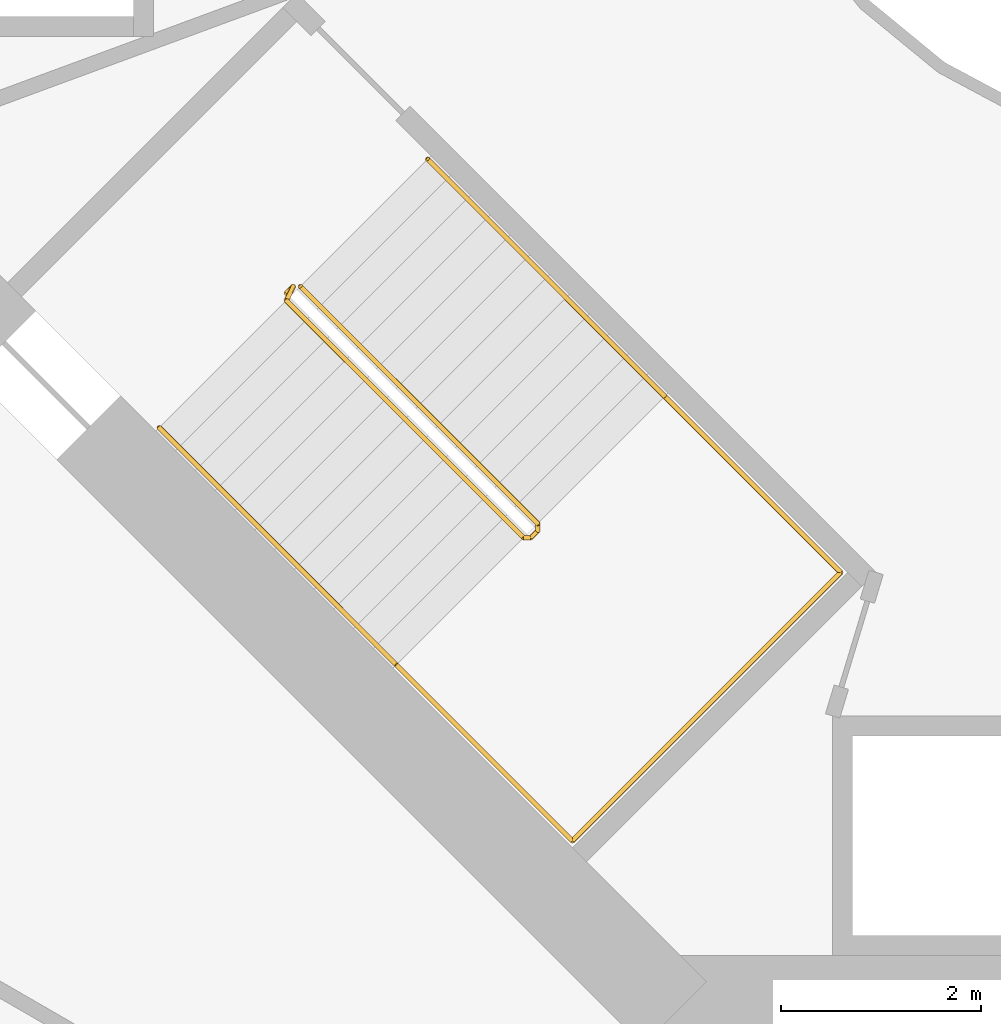
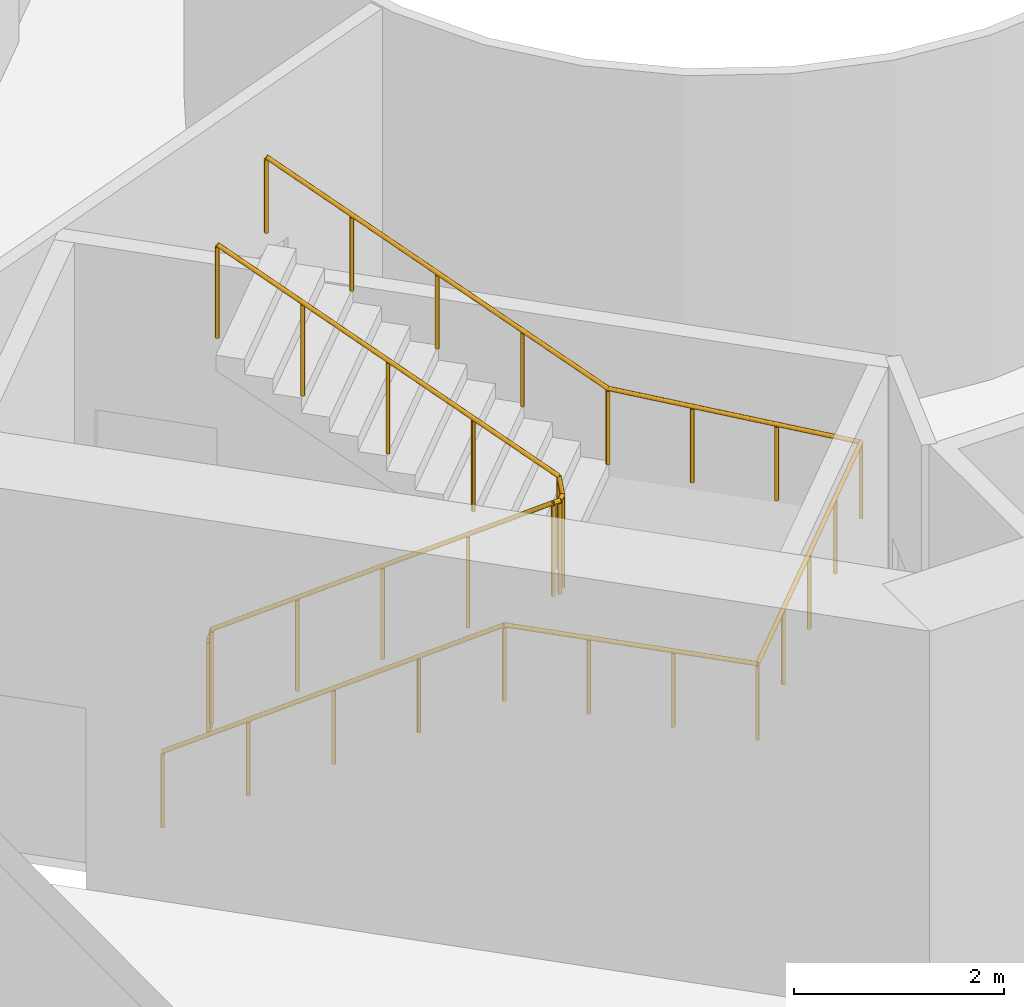
# One storey, part 16 of 20: 2 railings.
"""IFC4 building model written with IfcOpenShell, lengths in metres."""

from ifc_helpers import new_model, si_unit, direction, frame, origin, origin_2d, place, context, subcontext, project, spatial, circle, extrude, material, type_object, element, save


model = new_model("IFC4")

# Units and contexts
model_context = context("Model", 3, precision=1e-05, world=origin(), true_north=direction((0.0, 1.0)))
body_context = subcontext(model_context, "Body", "Model", "MODEL_VIEW")
ifc_project = project(units=[si_unit("LENGTHUNIT", "METRE"), si_unit("AREAUNIT", "SQUARE_METRE"), si_unit("VOLUMEUNIT", "CUBIC_METRE"), si_unit("PLANEANGLEUNIT", "RADIAN"), si_unit("MASSUNIT", "GRAM", prefix="KILO")], contexts=[model_context])

# Site, building, storey
site_placement = place(None, origin())
site = spatial("IfcSite", under=ifc_project, at=site_placement, CompositionType="ELEMENT")
building_placement = place(site_placement, origin())
building = spatial("IfcBuilding", under=site, at=building_placement, Name="Verdalira Terraces Hotel", CompositionType="ELEMENT")
storey_placement = place(building_placement, frame((0.0, 0.0, 23.5)))
storey = spatial("IfcBuildingStorey", under=building, at=storey_placement, Name="L04", CompositionType="ELEMENT", Elevation=23.5)

# Railings
ifc_material_1 = material(Name="Stainless steel", Category="steel")
railing_type_1 = type_object("IfcRailingType", Name="Stair guard 1100", PredefinedType="GUARDRAIL", material=ifc_material_1)
railing_1_placement = place(storey_placement, frame((-9.369141, -6.469971, 0.0)))
element("IfcRailing", 1, at=railing_1_placement, inside=storey, type_object=railing_type_1, Name="L04 ST2 stair guard 1", PredefinedType="GUARDRAIL", context=body_context, shape_type="SweptSolid", body=[
    extrude(circle(Radius=0.023926, at=origin_2d()), frame((0.0, 0.0, 1.076172), z_axis=(0.70832698, 0.705884473, 0.0), x_axis=(-0.705884473, 0.70832698, 0.0)), (0.0, 0.0, 1.0), 0.099854),
    extrude(circle(Radius=0.023926, at=origin_2d()), frame((0.070801, 0.070557, 1.076172), z_axis=(-0.302014195, -0.602986962, 0.738372636), x_axis=(0.894118129, -0.447831187, 0.0)), (0.0, 0.0, 1.0), 0.234375),
    extrude(circle(Radius=0.023926, at=origin_2d()), frame((0.0, -0.070801, 1.249023), z_axis=(0.601505331, -0.601443524, 0.525791806), x_axis=(0.707070449, 0.707143111, 0.0)), (0.0, 0.0, 1.0), 3.949951),
    extrude(circle(Radius=0.023926, at=origin_2d()), frame((2.375977, -2.446533, 3.326172), z_axis=(1.0, 0.0, 0.0), x_axis=(0.0, 1.0, 0.0)), (0.0, 0.0, 1.0), 0.070557),
    extrude(circle(Radius=0.023926, at=origin_2d()), frame((2.446533, -2.446533, 3.326172), z_axis=(0.70832698, 0.705884473, 0.0), x_axis=(-0.705884473, 0.70832698, 0.0)), (0.0, 0.0, 1.0), 0.099854),
    extrude(circle(Radius=0.023926, at=origin_2d()), frame((2.517334, -2.375977, 3.326172), z_axis=(0.0, 0.378582013, 0.92556775), x_axis=(-1.0, 0.0, 0.0)), (0.0, 0.0, 1.0), 0.187012),
    extrude(circle(Radius=0.023926, at=origin_2d()), frame((2.517334, -2.305176, 3.499023), z_axis=(-0.601505331, 0.601443524, 0.525791806), x_axis=(-0.707070449, -0.707143111, 0.0)), (0.0, 0.0, 1.0), 3.949951),
    extrude(circle(Radius=0.020996, at=origin_2d()), origin(), (0.0, 0.0, 1.0), 1.052002),
    extrude(circle(Radius=0.020996, at=origin_2d()), frame((0.070801, 0.070557, 0.0)), (0.0, 0.0, 1.0), 1.052002),
    extrude(circle(Radius=0.020996, at=origin_2d()), frame((0.0, -0.070801, 0.173096)), (0.0, 0.0, 1.0), 1.052002),
    extrude(circle(Radius=0.020996, at=origin_2d()), frame((0.593994, -0.664795, 0.692383)), (0.0, 0.0, 1.0), 1.052002),
    extrude(circle(Radius=0.020996, at=origin_2d()), frame((1.187988, -1.258789, 1.211426)), (0.0, 0.0, 1.0), 1.052002),
    extrude(circle(Radius=0.020996, at=origin_2d()), frame((1.781982, -1.852539, 1.730713)), (0.0, 0.0, 1.0), 1.052002),
    extrude(circle(Radius=0.020996, at=origin_2d()), frame((2.375977, -2.446533, 2.25)), (0.0, 0.0, 1.0), 1.052002),
    extrude(circle(Radius=0.020996, at=origin_2d()), frame((2.446533, -2.446533, 2.25)), (0.0, 0.0, 1.0), 1.052002),
    extrude(circle(Radius=0.020996, at=origin_2d()), frame((2.517334, -2.375977, 2.25)), (0.0, 0.0, 1.0), 1.052002),
    extrude(circle(Radius=0.020996, at=origin_2d()), frame((2.517334, -2.305176, 2.423096)), (0.0, 0.0, 1.0), 1.052002),
    extrude(circle(Radius=0.020996, at=origin_2d()), frame((1.92334, -1.711182, 2.942383)), (0.0, 0.0, 1.0), 1.052002),
    extrude(circle(Radius=0.020996, at=origin_2d()), frame((1.329346, -1.117188, 3.461426)), (0.0, 0.0, 1.0), 1.052002),
    extrude(circle(Radius=0.020996, at=origin_2d()), frame((0.735352, -0.523438, 3.980713)), (0.0, 0.0, 1.0), 1.052002),
    extrude(circle(Radius=0.020996, at=origin_2d()), frame((0.141357, 0.070557, 4.5)), (0.0, 0.0, 1.0), 1.052002),
])
ifc_material_2 = material(Name="Stainless steel", Category="steel")
railing_type_2 = type_object("IfcRailingType", Name="Stair handrail 900", PredefinedType="HANDRAIL", material=ifc_material_2)
railing_2_placement = place(storey_placement, frame((-10.641846, -7.813477, 0.173096)))
element("IfcRailing", 2, at=railing_2_placement, inside=storey, type_object=railing_type_2, Name="L04 ST2 stair handrail 1", PredefinedType="HANDRAIL", context=body_context, shape_type="SweptSolid", body=[
    extrude(circle(Radius=0.023926, at=origin_2d()), frame((0.0, 0.0, 0.875977), z_axis=(0.601443524, -0.601505331, 0.525791806), x_axis=(0.707143111, 0.707070449, 0.0)), (0.0, 0.0, 1.0), 3.949951),
    extrude(circle(Radius=0.023926, at=origin_2d()), frame((2.375732, -2.375977, 2.952637), z_axis=(0.707106781, -0.707106781, 0.0), x_axis=(0.707106781, 0.707106781, 0.0)), (0.0, 0.0, 1.0), 2.48999),
    extrude(circle(Radius=0.023926, at=origin_2d()), frame((4.136475, -4.136719, 2.952637), z_axis=(0.707106781, 0.707106781, 0.0), x_axis=(-0.707106781, 0.707106781, 0.0)), (0.0, 0.0, 1.0), 3.800049),
    extrude(circle(Radius=0.023926, at=origin_2d()), frame((6.823486, -1.449707, 2.952637), z_axis=(-0.705404483, 0.705404483, 0.069347168), x_axis=(-0.707106781, -0.707106781, 0.0)), (0.0, 0.0, 1.0), 2.496094),
    extrude(circle(Radius=0.023926, at=origin_2d()), frame((5.062744, 0.311035, 3.125977), z_axis=(-0.601443524, 0.601505331, 0.525791806), x_axis=(-0.707143111, -0.707070449, 0.0)), (0.0, 0.0, 1.0), 3.949951),
    extrude(circle(Radius=0.020996, at=origin_2d()), origin(), (0.0, 0.0, 1.0), 0.851807),
    extrude(circle(Radius=0.020996, at=origin_2d()), frame((0.593994, -0.593994, 0.519287)), (0.0, 0.0, 1.0), 0.851807),
    extrude(circle(Radius=0.020996, at=origin_2d()), frame((1.187988, -1.187988, 1.038574)), (0.0, 0.0, 1.0), 0.851807),
    extrude(circle(Radius=0.020996, at=origin_2d()), frame((1.781738, -1.781982, 1.557617)), (0.0, 0.0, 1.0), 0.851807),
    extrude(circle(Radius=0.020996, at=origin_2d()), frame((2.375732, -2.375977, 2.076904)), (0.0, 0.0, 1.0), 0.851807),
    extrude(circle(Radius=0.020996, at=origin_2d()), frame((2.962646, -2.962891, 2.076904)), (0.0, 0.0, 1.0), 0.851807),
    extrude(circle(Radius=0.020996, at=origin_2d()), frame((3.549561, -3.549805, 2.076904)), (0.0, 0.0, 1.0), 0.851807),
    extrude(circle(Radius=0.020996, at=origin_2d()), frame((4.136475, -4.136719, 2.076904)), (0.0, 0.0, 1.0), 0.851807),
    extrude(circle(Radius=0.020996, at=origin_2d()), frame((4.808105, -3.464844, 2.076904)), (0.0, 0.0, 1.0), 0.851807),
    extrude(circle(Radius=0.020996, at=origin_2d()), frame((5.47998, -2.793213, 2.076904)), (0.0, 0.0, 1.0), 0.851807),
    extrude(circle(Radius=0.020996, at=origin_2d()), frame((6.151855, -2.121582, 2.076904)), (0.0, 0.0, 1.0), 0.851807),
    extrude(circle(Radius=0.020996, at=origin_2d()), frame((6.823486, -1.449707, 2.076904)), (0.0, 0.0, 1.0), 0.851807),
    extrude(circle(Radius=0.020996, at=origin_2d()), frame((6.236572, -0.862793, 2.134521)), (0.0, 0.0, 1.0), 0.851807),
    extrude(circle(Radius=0.020996, at=origin_2d()), frame((5.649658, -0.275879, 2.192383)), (0.0, 0.0, 1.0), 0.851807),
    extrude(circle(Radius=0.020996, at=origin_2d()), frame((5.062744, 0.311035, 2.25)), (0.0, 0.0, 1.0), 0.851807),
    extrude(circle(Radius=0.020996, at=origin_2d()), frame((4.46875, 0.905029, 2.769287)), (0.0, 0.0, 1.0), 0.851807),
    extrude(circle(Radius=0.020996, at=origin_2d()), frame((3.875, 1.499023, 3.288574)), (0.0, 0.0, 1.0), 0.851807),
    extrude(circle(Radius=0.020996, at=origin_2d()), frame((3.281006, 2.093018, 3.807617)), (0.0, 0.0, 1.0), 0.851807),
    extrude(circle(Radius=0.020996, at=origin_2d()), frame((2.687012, 2.687012, 4.326904)), (0.0, 0.0, 1.0), 0.851807),
])

save(model, "model.ifc")
